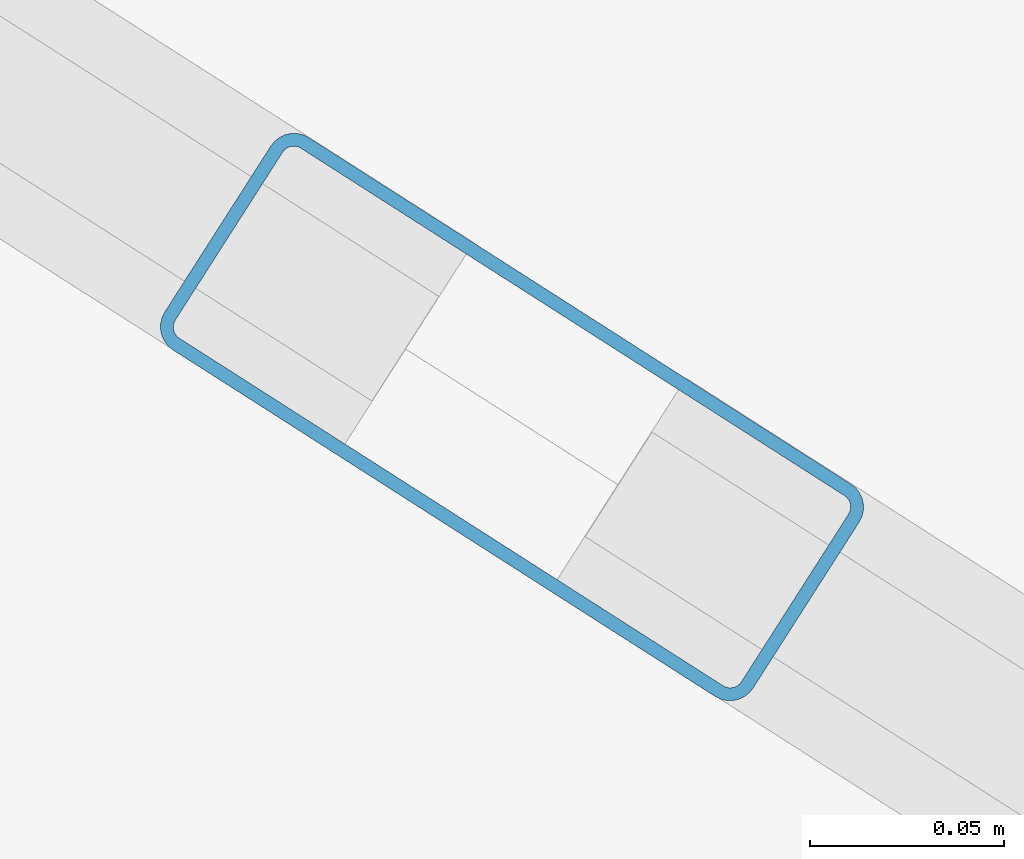
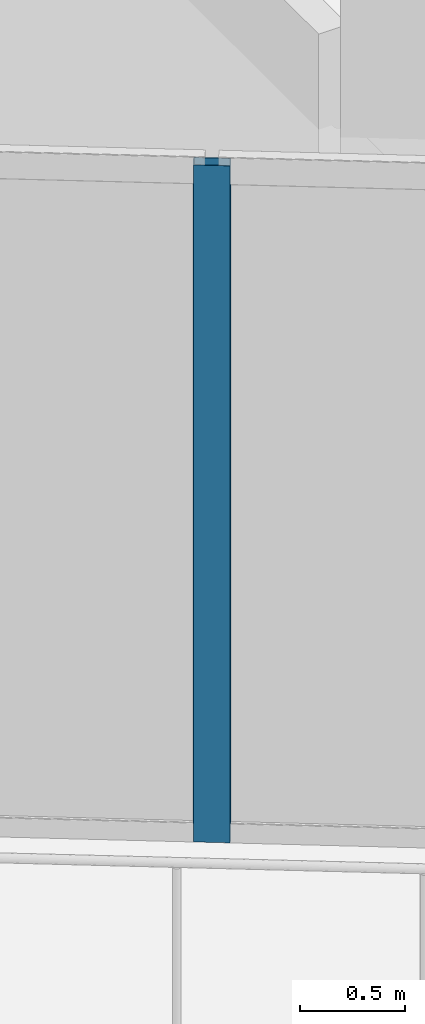
# One storey, part 8 of 44: 1 member, 1 element without a shape of its own.
"""IFC4 building model written with IfcOpenShell, lengths in metres."""

import ifcopenshell
import ifcopenshell.guid

model = None  # the IFC model being written
_history = None  # IfcOwnerHistory: only IFC2X3 demands one
_inside = {}  # id of a spatial element -> (the spatial element, [elements in it])
_under = {}  # id of a project, library or spatial element -> (it, [spatial elements below it])
_declared = {}  # id of a project -> (the project, [libraries it declares])
_typed = {}  # id of a type object -> (the type object, [elements of that type])
_made_of = {}  # id of a material, layer set ... -> (it, [elements and type objects made of it])


def new_model(schema):
    """Start an empty IFC model of exactly this schema.

    Asked for "IFC4X3", IfcOpenShell would pick the latest addendum, in which some entities
    have other attributes; the version numbers below select the first issue.
    IFC2X3 requires an IfcOwnerHistory on every rooted entity: one is made here for all.
    """
    global model, _history
    if schema == "IFC4X3":
        model = ifcopenshell.file(schema_version=(4, 3, 0, 0))
    else:
        model = ifcopenshell.file(schema=schema)
    _inside.clear()
    _under.clear()
    _declared.clear()
    _typed.clear()
    _made_of.clear()
    _history = None
    if model.schema == "IFC2X3":
        org = make("IfcOrganization", Name="unknown")
        user = make(
            "IfcPersonAndOrganization",
            ThePerson=make("IfcPerson", FamilyName="unknown"),
            TheOrganization=org,
        )
        app = make(
            "IfcApplication",
            ApplicationDeveloper=org,
            Version="unknown",
            ApplicationFullName="unknown",
            ApplicationIdentifier="unknown",
        )
        _history = make(
            "IfcOwnerHistory",
            OwningUser=user,
            OwningApplication=app,
            ChangeAction="ADDED",
            CreationDate=0,
        )
    return model


def make(cls, **values):
    """One entity of the class cls with the attributes given. An attribute that is None is left unset."""
    return model.create_entity(
        cls, **{name: value for name, value in values.items() if value is not None}
    )


def rooted(cls, **values):
    """An entity with a GlobalId (a new one), such as an element, a storey or a relation."""
    return make(cls, GlobalId=ifcopenshell.guid.new(), OwnerHistory=_history, **values)


def si_unit(unit_type, name, prefix=None):
    """IfcSIUnit, for example si_unit("LENGTHUNIT", "METRE", prefix="MILLI")."""
    return make("IfcSIUnit", UnitType=unit_type, Prefix=prefix, Name=name)


def assignment(units):
    """IfcUnitAssignment: the units of a project."""
    return None if units is None else make("IfcUnitAssignment", Units=units)


def point(xyz):
    """IfcCartesianPoint."""
    return None if xyz is None else make("IfcCartesianPoint", Coordinates=xyz)


def direction(xyz):
    """IfcDirection."""
    return None if xyz is None else make("IfcDirection", DirectionRatios=xyz)


def frame(location, z_axis=None, x_axis=None):
    """IfcAxis2Placement3D, a coordinate frame: its origin and axes. An axis left out is left unset."""
    return make(
        "IfcAxis2Placement3D",
        Location=point(location),
        Axis=direction(z_axis),
        RefDirection=direction(x_axis),
    )


def frame_2d(location, x_axis=None):
    """IfcAxis2Placement2D, a coordinate frame in the plane: its origin and x axis."""
    return make(
        "IfcAxis2Placement2D", Location=point(location), RefDirection=direction(x_axis)
    )


def origin():
    """The frame at (0, 0, 0) with its axes left unset."""
    return frame((0.0, 0.0, 0.0))


def origin_2d():
    """The frame at (0, 0) in the plane with its x axis left unset."""
    return frame_2d((0.0, 0.0))


def place(relative_to, where):
    """IfcLocalPlacement: puts the frame where relative to a parent placement (None: the world)."""
    return make(
        "IfcLocalPlacement", PlacementRelTo=relative_to, RelativePlacement=where
    )


def context(
    kind, dimensions, precision=None, world=None, true_north=None, identifier=None
):
    """IfcGeometricRepresentationContext, for example the 3D "Model" context."""
    return make(
        "IfcGeometricRepresentationContext",
        ContextIdentifier=identifier,
        ContextType=kind,
        CoordinateSpaceDimension=dimensions,
        Precision=precision,
        WorldCoordinateSystem=world,
        TrueNorth=true_north,
    )


def subcontext(parent, identifier, kind, view, scale=None):
    """IfcGeometricRepresentationSubContext, for example "Body" below "Model"."""
    return make(
        "IfcGeometricRepresentationSubContext",
        ContextIdentifier=identifier,
        ContextType=kind,
        ParentContext=parent,
        TargetScale=scale,
        TargetView=view,
    )


def project(units=None, contexts=None):
    """IfcProject with its units and contexts."""
    return rooted(
        "IfcProject",
        Name="project",
        RepresentationContexts=contexts,
        UnitsInContext=assignment(units),
    )


def spatial(cls, under=None, at=None, **own):
    """A site, building, storey or space (cls), placed at a placement, below another one or the project."""
    s = rooted(cls, ObjectPlacement=at, **own)
    if under is not None:
        _under.setdefault(under.id(), (under, []))[1].append(s)
    return s


def profile(cls, at=None, kind="AREA", **sizes):
    """A parametric profile (cls). Its sizes go by their IFC names, for example OverallWidth=200.0."""
    return make(cls, ProfileType=kind, Position=at, **sizes)


def hollow_rectangle(**sizes):
    """IfcRectangleHollowProfileDef."""
    return profile("IfcRectangleHollowProfileDef", **sizes)


def extrude(swept, where, along, depth):
    """IfcExtrudedAreaSolid: the profile swept, set in the frame where, extruded along a direction by depth."""
    return make(
        "IfcExtrudedAreaSolid",
        SweptArea=swept,
        Position=where,
        ExtrudedDirection=direction(along),
        Depth=depth,
    )


def shape(context_of_items, identifier, shape_type, items):
    """IfcShapeRepresentation: the items that make up one representation, for example the "Body"."""
    return make(
        "IfcShapeRepresentation",
        ContextOfItems=context_of_items,
        RepresentationIdentifier=identifier,
        RepresentationType=shape_type,
        Items=items,
    )


def material(Name=None, Category=None):
    """IfcMaterial."""
    return make("IfcMaterial", Name=Name, Category=Category)


def layer(
    of_material, thickness, ventilated=None, Name=None, Category=None, Priority=None
):
    """IfcMaterialLayer: one layer of a wall or slab, of a material (None: an air gap)."""
    return make(
        "IfcMaterialLayer",
        Material=of_material,
        LayerThickness=thickness,
        IsVentilated=ventilated,
        Name=Name,
        Category=Category,
        Priority=Priority,
    )


def layer_set(layers, Name=None):
    """IfcMaterialLayerSet."""
    return make("IfcMaterialLayerSet", MaterialLayers=layers, LayerSetName=Name)


def material_profile(
    of_material, cross_section, Name=None, Category=None, Priority=None
):
    """IfcMaterialProfile: a cross section and its material."""
    return make(
        "IfcMaterialProfile",
        Name=Name,
        Material=of_material,
        Profile=cross_section,
        Priority=Priority,
        Category=Category,
    )


def profile_set(profiles, Name=None, composite=None):
    """IfcMaterialProfileSet."""
    return make(
        "IfcMaterialProfileSet",
        Name=Name,
        MaterialProfiles=profiles,
        CompositeProfile=composite,
    )


def made_of(thing, what):
    """Note that an element or type object is made of a material, layer set ...; save() writes the relation."""
    if what is not None:
        _made_of.setdefault(what.id(), (what, []))[1].append(thing)
    return thing


def type_object(cls, material=None, **own):
    """A type object (cls), such as IfcWallType, which elements share."""
    return made_of(rooted(cls, **own), material)


def element(
    cls,
    number,
    at=None,
    inside=None,
    cuts=None,
    type_object=None,
    material=None,
    context=None,
    identifier="Body",
    shape_type=None,
    held_by="IfcProductDefinitionShape",
    body=None,
    shapes=None,
    **own,
):
    """One element of the class cls, such as IfcWall. Its Tag is "e" and its number.

    at: its placement. inside: the storey or other place that contains it. cuts: it is an
    opening in that element (IfcRelVoidsElement). A single representation is given by context,
    identifier, shape_type and body (its items); several are given by shapes. held_by: the class
    of the entity that holds the representations. save() writes the other relations.
    """
    e = rooted(cls, Tag="e%d" % number, ObjectPlacement=at, **own)
    if body is not None:
        shapes = [shape(context, identifier, shape_type, body)]
    if shapes is not None:
        e.Representation = make(held_by, Representations=shapes)
    if inside is not None:
        _inside.setdefault(inside.id(), (inside, []))[1].append(e)
    if cuts is not None:
        rooted(
            "IfcRelVoidsElement", RelatingBuildingElement=cuts, RelatedOpeningElement=e
        )
    if type_object is not None:
        _typed.setdefault(type_object.id(), (type_object, []))[1].append(e)
    return made_of(e, material)


def aggregate(whole, parts):
    """IfcRelAggregates: a whole, such as a stair, and the parts it consists of."""
    return rooted("IfcRelAggregates", RelatingObject=whole, RelatedObjects=parts)


def save(model, path):
    """Write the relations noted so far, then the file.

    IfcRelAggregates (storeys below a building ...), IfcRelContainedInSpatialStructure (elements
    in a storey), IfcRelDefinesByType, IfcRelAssociatesMaterial and IfcRelDeclares: one each for
    every whole, place, type object, material and project.
    """
    for whole, parts in _under.values():
        aggregate(whole, parts)
    for where, things in _inside.values():
        rooted(
            "IfcRelContainedInSpatialStructure",
            RelatedElements=things,
            RelatingStructure=where,
        )
    for kind, things in _typed.values():
        rooted("IfcRelDefinesByType", RelatedObjects=things, RelatingType=kind)
    for what, things in _made_of.values():
        rooted("IfcRelAssociatesMaterial", RelatedObjects=things, RelatingMaterial=what)
    for by, libraries in _declared.values():
        rooted("IfcRelDeclares", RelatingContext=by, RelatedDefinitions=libraries)
    model.write(path)


model = new_model("IFC4")

# Units and contexts
model_context = context("Model", 3, precision=1e-05, world=origin(), true_north=direction((0.0, 1.0)))
body_context = subcontext(model_context, "Body", "Model", "MODEL_VIEW")
ifc_project = project(units=[si_unit("LENGTHUNIT", "METRE"), si_unit("AREAUNIT", "SQUARE_METRE"), si_unit("VOLUMEUNIT", "CUBIC_METRE"), si_unit("PLANEANGLEUNIT", "RADIAN"), si_unit("MASSUNIT", "GRAM", prefix="KILO")], contexts=[model_context])

# Site, building, storey
site_placement = place(None, origin())
site = spatial("IfcSite", under=ifc_project, at=site_placement, CompositionType="ELEMENT")
building_placement = place(site_placement, origin())
building = spatial("IfcBuilding", under=site, at=building_placement, Name="Qorvath Tower", CompositionType="ELEMENT")
storey_placement = place(building_placement, frame((0.0, 0.0, 57.60009765625)))
storey = spatial("IfcBuildingStorey", under=building, at=storey_placement, Name="L12", CompositionType="ELEMENT", Elevation=57.60009765625)

# Curtain wall, member
ifc_material_1 = material(Name="Anodised aluminium and triple low-E glass", Category="aluminium")
ifc_layer = layer(ifc_material_1, 0.179931640625)
ifc_layer_set = layer_set([ifc_layer], Name="CW-SYS-2")
curtain_wall_type = type_object("IfcCurtainWallType", Name="CW-SYS-2", PredefinedType="NOTDEFINED", material=ifc_layer_set)
curtain_wall_placement = place(storey_placement, origin())
curtain_wall = element("IfcCurtainWall", 1, at=curtain_wall_placement, inside=storey, type_object=curtain_wall_type, Name="Curtain Wall CW-2 CW-T-L12-2.2", PredefinedType="NOTDEFINED")
ifc_material_2 = material(Name="Anodised aluminium 6063-T6", Category="aluminium")
ifc_material_profile = material_profile(ifc_material_2, hollow_rectangle(XDim=0.06494140625, YDim=0.179931640625, WallThickness=0.00341796875, InnerFilletRadius=0.00341796875, OuterFilletRadius=0.007080078125, at=origin_2d()), Name="CWM 180x65")
ifc_profile_set = profile_set([ifc_material_profile], Name="Anodised aluminium 6063-T6")
member_type = type_object("IfcMemberType", Name="CWM-180", PredefinedType="MULLION", material=ifc_profile_set)
member_placement = place(storey_placement, frame((-30.000732421875, -23.275634765625, 0.0), z_axis=(0.0, 0.0, 1.0), x_axis=(0.538536297709, 0.842602311918, 0.0)))
member = element("IfcMember", 2, at=member_placement, type_object=member_type, Name="CW-2 mullion 3", PredefinedType="MULLION", context=body_context, shape_type="SweptSolid", body=[
    extrude(hollow_rectangle(XDim=0.06494140625, YDim=0.179931640625, WallThickness=0.00341796875, InnerFilletRadius=0.00341796875, OuterFilletRadius=0.007080078125, at=origin_2d()), origin(), (0.0, 0.0, 1.0), 3.919921875),
])
aggregate(curtain_wall, [member])

save(model, "model.ifc")
